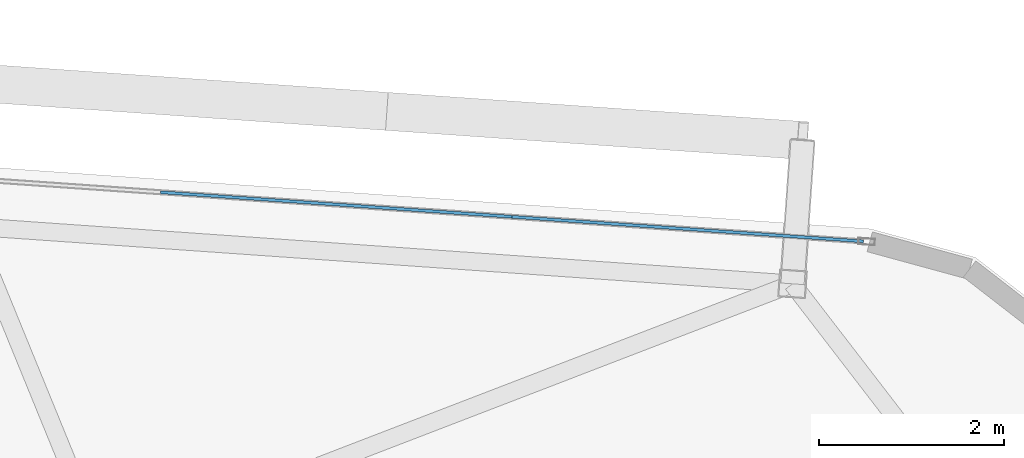
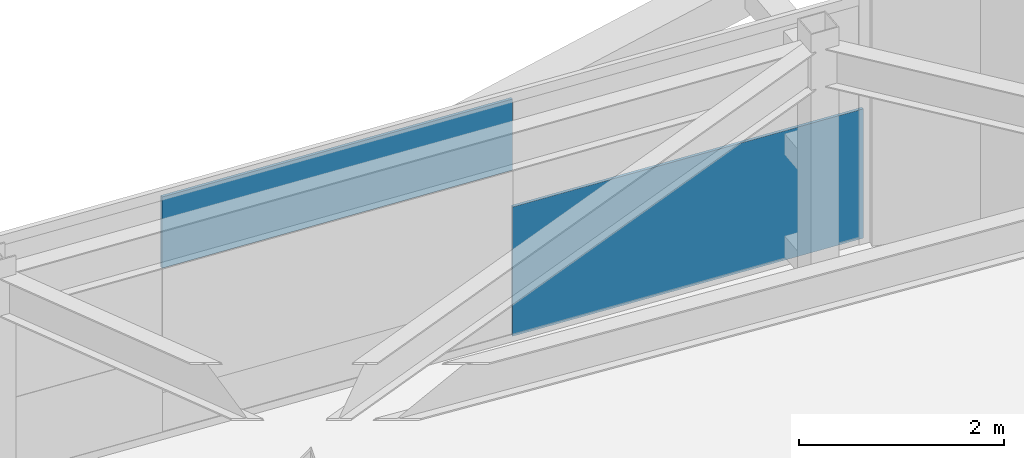
# One storey, part 26 of 39: 2 plates, 1 element without a shape of its own.
"""IFC4 building model written with IfcOpenShell, lengths in metres."""

import ifcopenshell
import ifcopenshell.guid

model = None  # the IFC model being written
_history = None  # IfcOwnerHistory: only IFC2X3 demands one
_inside = {}  # id of a spatial element -> (the spatial element, [elements in it])
_under = {}  # id of a project, library or spatial element -> (it, [spatial elements below it])
_declared = {}  # id of a project -> (the project, [libraries it declares])
_typed = {}  # id of a type object -> (the type object, [elements of that type])
_made_of = {}  # id of a material, layer set ... -> (it, [elements and type objects made of it])


def new_model(schema):
    """Start an empty IFC model of exactly this schema.

    Asked for "IFC4X3", IfcOpenShell would pick the latest addendum, in which some entities
    have other attributes; the version numbers below select the first issue.
    IFC2X3 requires an IfcOwnerHistory on every rooted entity: one is made here for all.
    """
    global model, _history
    if schema == "IFC4X3":
        model = ifcopenshell.file(schema_version=(4, 3, 0, 0))
    else:
        model = ifcopenshell.file(schema=schema)
    _inside.clear()
    _under.clear()
    _declared.clear()
    _typed.clear()
    _made_of.clear()
    _history = None
    if model.schema == "IFC2X3":
        org = make("IfcOrganization", Name="unknown")
        user = make(
            "IfcPersonAndOrganization",
            ThePerson=make("IfcPerson", FamilyName="unknown"),
            TheOrganization=org,
        )
        app = make(
            "IfcApplication",
            ApplicationDeveloper=org,
            Version="unknown",
            ApplicationFullName="unknown",
            ApplicationIdentifier="unknown",
        )
        _history = make(
            "IfcOwnerHistory",
            OwningUser=user,
            OwningApplication=app,
            ChangeAction="ADDED",
            CreationDate=0,
        )
    return model


def make(cls, **values):
    """One entity of the class cls with the attributes given. An attribute that is None is left unset."""
    return model.create_entity(
        cls, **{name: value for name, value in values.items() if value is not None}
    )


def rooted(cls, **values):
    """An entity with a GlobalId (a new one), such as an element, a storey or a relation."""
    return make(cls, GlobalId=ifcopenshell.guid.new(), OwnerHistory=_history, **values)


def si_unit(unit_type, name, prefix=None):
    """IfcSIUnit, for example si_unit("LENGTHUNIT", "METRE", prefix="MILLI")."""
    return make("IfcSIUnit", UnitType=unit_type, Prefix=prefix, Name=name)


def assignment(units):
    """IfcUnitAssignment: the units of a project."""
    return None if units is None else make("IfcUnitAssignment", Units=units)


def point(xyz):
    """IfcCartesianPoint."""
    return None if xyz is None else make("IfcCartesianPoint", Coordinates=xyz)


def direction(xyz):
    """IfcDirection."""
    return None if xyz is None else make("IfcDirection", DirectionRatios=xyz)


def frame(location, z_axis=None, x_axis=None):
    """IfcAxis2Placement3D, a coordinate frame: its origin and axes. An axis left out is left unset."""
    return make(
        "IfcAxis2Placement3D",
        Location=point(location),
        Axis=direction(z_axis),
        RefDirection=direction(x_axis),
    )


def frame_2d(location, x_axis=None):
    """IfcAxis2Placement2D, a coordinate frame in the plane: its origin and x axis."""
    return make(
        "IfcAxis2Placement2D", Location=point(location), RefDirection=direction(x_axis)
    )


def origin():
    """The frame at (0, 0, 0) with its axes left unset."""
    return frame((0.0, 0.0, 0.0))


def origin_2d():
    """The frame at (0, 0) in the plane with its x axis left unset."""
    return frame_2d((0.0, 0.0))


def place(relative_to, where):
    """IfcLocalPlacement: puts the frame where relative to a parent placement (None: the world)."""
    return make(
        "IfcLocalPlacement", PlacementRelTo=relative_to, RelativePlacement=where
    )


def context(
    kind, dimensions, precision=None, world=None, true_north=None, identifier=None
):
    """IfcGeometricRepresentationContext, for example the 3D "Model" context."""
    return make(
        "IfcGeometricRepresentationContext",
        ContextIdentifier=identifier,
        ContextType=kind,
        CoordinateSpaceDimension=dimensions,
        Precision=precision,
        WorldCoordinateSystem=world,
        TrueNorth=true_north,
    )


def subcontext(parent, identifier, kind, view, scale=None):
    """IfcGeometricRepresentationSubContext, for example "Body" below "Model"."""
    return make(
        "IfcGeometricRepresentationSubContext",
        ContextIdentifier=identifier,
        ContextType=kind,
        ParentContext=parent,
        TargetScale=scale,
        TargetView=view,
    )


def project(units=None, contexts=None):
    """IfcProject with its units and contexts."""
    return rooted(
        "IfcProject",
        Name="project",
        RepresentationContexts=contexts,
        UnitsInContext=assignment(units),
    )


def spatial(cls, under=None, at=None, **own):
    """A site, building, storey or space (cls), placed at a placement, below another one or the project."""
    s = rooted(cls, ObjectPlacement=at, **own)
    if under is not None:
        _under.setdefault(under.id(), (under, []))[1].append(s)
    return s


def profile(cls, at=None, kind="AREA", **sizes):
    """A parametric profile (cls). Its sizes go by their IFC names, for example OverallWidth=200.0."""
    return make(cls, ProfileType=kind, Position=at, **sizes)


def rectangle(**sizes):
    """IfcRectangleProfileDef."""
    return profile("IfcRectangleProfileDef", **sizes)


def extrude(swept, where, along, depth):
    """IfcExtrudedAreaSolid: the profile swept, set in the frame where, extruded along a direction by depth."""
    return make(
        "IfcExtrudedAreaSolid",
        SweptArea=swept,
        Position=where,
        ExtrudedDirection=direction(along),
        Depth=depth,
    )


def shape(context_of_items, identifier, shape_type, items):
    """IfcShapeRepresentation: the items that make up one representation, for example the "Body"."""
    return make(
        "IfcShapeRepresentation",
        ContextOfItems=context_of_items,
        RepresentationIdentifier=identifier,
        RepresentationType=shape_type,
        Items=items,
    )


def source(mapping_origin, context_of_items, identifier, shape_type, items):
    """IfcRepresentationMap: a shape defined once, which mapped items show again and again."""
    return make(
        "IfcRepresentationMap",
        MappingOrigin=mapping_origin,
        MappedRepresentation=shape(context_of_items, identifier, shape_type, items),
    )


def transform(
    local_origin,
    x_axis=None,
    y_axis=None,
    z_axis=None,
    scale=None,
    scale2=None,
    scale3=None,
    uniform=True,
):
    """IfcCartesianTransformationOperator3D, or its non-uniform kind. x_axis, y_axis, z_axis: its Axis1, 2, 3."""
    if uniform:
        return make(
            "IfcCartesianTransformationOperator3D",
            Axis1=direction(x_axis),
            Axis2=direction(y_axis),
            LocalOrigin=point(local_origin),
            Scale=scale,
            Axis3=direction(z_axis),
        )
    return make(
        "IfcCartesianTransformationOperator3DnonUniform",
        Axis1=direction(x_axis),
        Axis2=direction(y_axis),
        LocalOrigin=point(local_origin),
        Scale=scale,
        Axis3=direction(z_axis),
        Scale2=scale2,
        Scale3=scale3,
    )


def mapped(mapping_source, mapping_target):
    """IfcMappedItem: shows the shape of a source again, moved by a transform."""
    return make(
        "IfcMappedItem", MappingSource=mapping_source, MappingTarget=mapping_target
    )


def material(Name=None, Category=None):
    """IfcMaterial."""
    return make("IfcMaterial", Name=Name, Category=Category)


def layer(
    of_material, thickness, ventilated=None, Name=None, Category=None, Priority=None
):
    """IfcMaterialLayer: one layer of a wall or slab, of a material (None: an air gap)."""
    return make(
        "IfcMaterialLayer",
        Material=of_material,
        LayerThickness=thickness,
        IsVentilated=ventilated,
        Name=Name,
        Category=Category,
        Priority=Priority,
    )


def layer_set(layers, Name=None):
    """IfcMaterialLayerSet."""
    return make("IfcMaterialLayerSet", MaterialLayers=layers, LayerSetName=Name)


def made_of(thing, what):
    """Note that an element or type object is made of a material, layer set ...; save() writes the relation."""
    if what is not None:
        _made_of.setdefault(what.id(), (what, []))[1].append(thing)
    return thing


def type_object(cls, material=None, **own):
    """A type object (cls), such as IfcWallType, which elements share."""
    return made_of(rooted(cls, **own), material)


def element(
    cls,
    number,
    at=None,
    inside=None,
    cuts=None,
    type_object=None,
    material=None,
    context=None,
    identifier="Body",
    shape_type=None,
    held_by="IfcProductDefinitionShape",
    body=None,
    shapes=None,
    **own,
):
    """One element of the class cls, such as IfcWall. Its Tag is "e" and its number.

    at: its placement. inside: the storey or other place that contains it. cuts: it is an
    opening in that element (IfcRelVoidsElement). A single representation is given by context,
    identifier, shape_type and body (its items); several are given by shapes. held_by: the class
    of the entity that holds the representations. save() writes the other relations.
    """
    e = rooted(cls, Tag="e%d" % number, ObjectPlacement=at, **own)
    if body is not None:
        shapes = [shape(context, identifier, shape_type, body)]
    if shapes is not None:
        e.Representation = make(held_by, Representations=shapes)
    if inside is not None:
        _inside.setdefault(inside.id(), (inside, []))[1].append(e)
    if cuts is not None:
        rooted(
            "IfcRelVoidsElement", RelatingBuildingElement=cuts, RelatedOpeningElement=e
        )
    if type_object is not None:
        _typed.setdefault(type_object.id(), (type_object, []))[1].append(e)
    return made_of(e, material)


def aggregate(whole, parts):
    """IfcRelAggregates: a whole, such as a stair, and the parts it consists of."""
    return rooted("IfcRelAggregates", RelatingObject=whole, RelatedObjects=parts)


def save(model, path):
    """Write the relations noted so far, then the file.

    IfcRelAggregates (storeys below a building ...), IfcRelContainedInSpatialStructure (elements
    in a storey), IfcRelDefinesByType, IfcRelAssociatesMaterial and IfcRelDeclares: one each for
    every whole, place, type object, material and project.
    """
    for whole, parts in _under.values():
        aggregate(whole, parts)
    for where, things in _inside.values():
        rooted(
            "IfcRelContainedInSpatialStructure",
            RelatedElements=things,
            RelatingStructure=where,
        )
    for kind, things in _typed.values():
        rooted("IfcRelDefinesByType", RelatedObjects=things, RelatingType=kind)
    for what, things in _made_of.values():
        rooted("IfcRelAssociatesMaterial", RelatedObjects=things, RelatingMaterial=what)
    for by, libraries in _declared.values():
        rooted("IfcRelDeclares", RelatingContext=by, RelatedDefinitions=libraries)
    model.write(path)


model = new_model("IFC4")

# Units and contexts
model_context = context("Model", 3, precision=1e-05, world=origin(), true_north=direction((0.0, 1.0)))
body_context = subcontext(model_context, "Body", "Model", "MODEL_VIEW")
ifc_project = project(units=[si_unit("LENGTHUNIT", "METRE"), si_unit("AREAUNIT", "SQUARE_METRE"), si_unit("VOLUMEUNIT", "CUBIC_METRE"), si_unit("PLANEANGLEUNIT", "RADIAN"), si_unit("MASSUNIT", "GRAM", prefix="KILO")], contexts=[model_context])

# Site, building, storey
site_placement = place(None, origin())
site = spatial("IfcSite", under=ifc_project, at=site_placement, CompositionType="ELEMENT")
building_placement = place(site_placement, origin())
building = spatial("IfcBuilding", under=site, at=building_placement, Name="Taldren Reach Tower", CompositionType="ELEMENT")
storey_placement = place(building_placement, frame((0.0, 0.0, 145.60009765625)))
storey = spatial("IfcBuildingStorey", under=building, at=storey_placement, Name="L44", CompositionType="ELEMENT", Elevation=145.60009765625)

# Curtain wall, plates
ifc_material_1 = material(Name="Aluminium and Low-E Glass Unitised System", Category="aluminium")
ifc_layer_1 = layer(ifc_material_1, 0.159912109375)
ifc_layer_set_1 = layer_set([ifc_layer_1], Name="Aluminium and Low-E Glass Unitised System")
curtain_wall_type = type_object("IfcCurtainWallType", Name="CW-SYS-4", PredefinedType="NOTDEFINED", material=ifc_layer_set_1)
curtain_wall_placement = place(storey_placement, origin())
curtain_wall = element("IfcCurtainWall", 1, at=curtain_wall_placement, inside=storey, type_object=curtain_wall_type, Name="Unitised curtain wall CW-L44-N", PredefinedType="NOTDEFINED")
ifc_material_2 = material(Name="Solar-Control Double Glazed IGU", Category="glass")
ifc_layer_2 = layer(ifc_material_2, 0.031982421875)
ifc_layer_set_2 = layer_set([ifc_layer_2], Name="Solar-Control Double Glazed IGU")
plate_type = type_object("IfcPlateType", Name="CW-PNL-IGU32", PredefinedType="CURTAIN_PANEL", material=ifc_layer_set_2)
shared_shape_1 = source(origin(), body_context, "Body", "SweptSolid", [
    extrude(rectangle(XDim=3.79833984375, YDim=0.031982421875, at=origin_2d()), origin(), (0.0, 0.0, 1.0), 0.84716796875),
])
plate_1_placement = place(storey_placement, frame((53.5166015625, 35.716796875, 2.02783203125), z_axis=(0.0, 0.0, 1.0), x_axis=(-0.99756404731, 0.06975651593, 0.0)))
plate_1 = element("IfcPlate", 2, at=plate_1_placement, type_object=plate_type, Name="CW-4 panel 1.1 part 3", PredefinedType="CURTAIN_PANEL", context=body_context, shape_type="MappedRepresentation", body=[
    mapped(shared_shape_1, transform((0.0, 0.0, 0.0), scale=1.0)),
])
shared_shape_2 = source(origin(), body_context, "Body", "SweptSolid", [
    extrude(rectangle(XDim=3.79833984375, YDim=0.031982421875, at=origin_2d()), origin(), (0.0, 0.0, 1.0), 1.537841796875),
])
plate_2_placement = place(storey_placement, frame((57.3056640625, 35.451904296875, 0.0546875), z_axis=(0.0, 0.0, 1.0), x_axis=(-0.99756404731, 0.06975651593, 0.0)))
plate_2 = element("IfcPlate", 3, at=plate_2_placement, type_object=plate_type, Name="CW-4 panel 1.1 part 1", PredefinedType="CURTAIN_PANEL", context=body_context, shape_type="MappedRepresentation", body=[
    mapped(shared_shape_2, transform((0.0, 0.0, 0.0), scale=1.0)),
])
aggregate(curtain_wall, [plate_2, plate_1])

save(model, "model.ifc")
